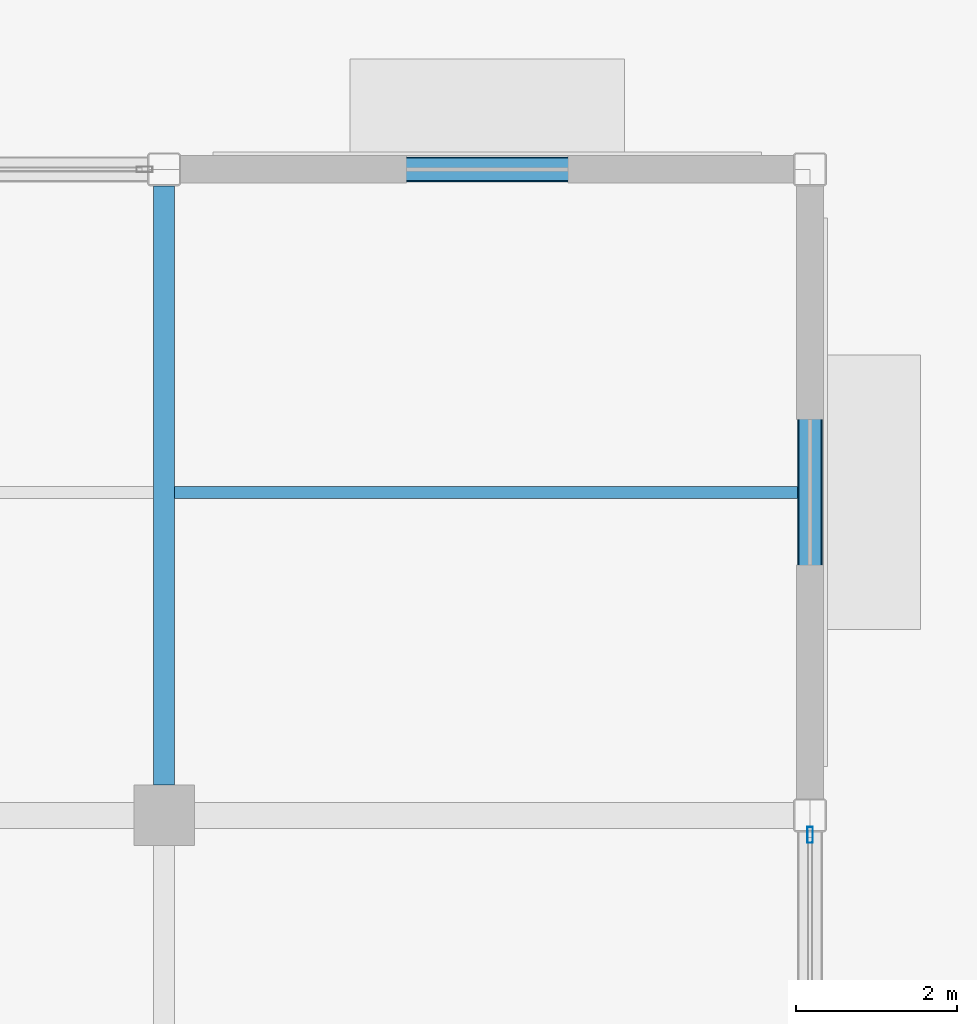
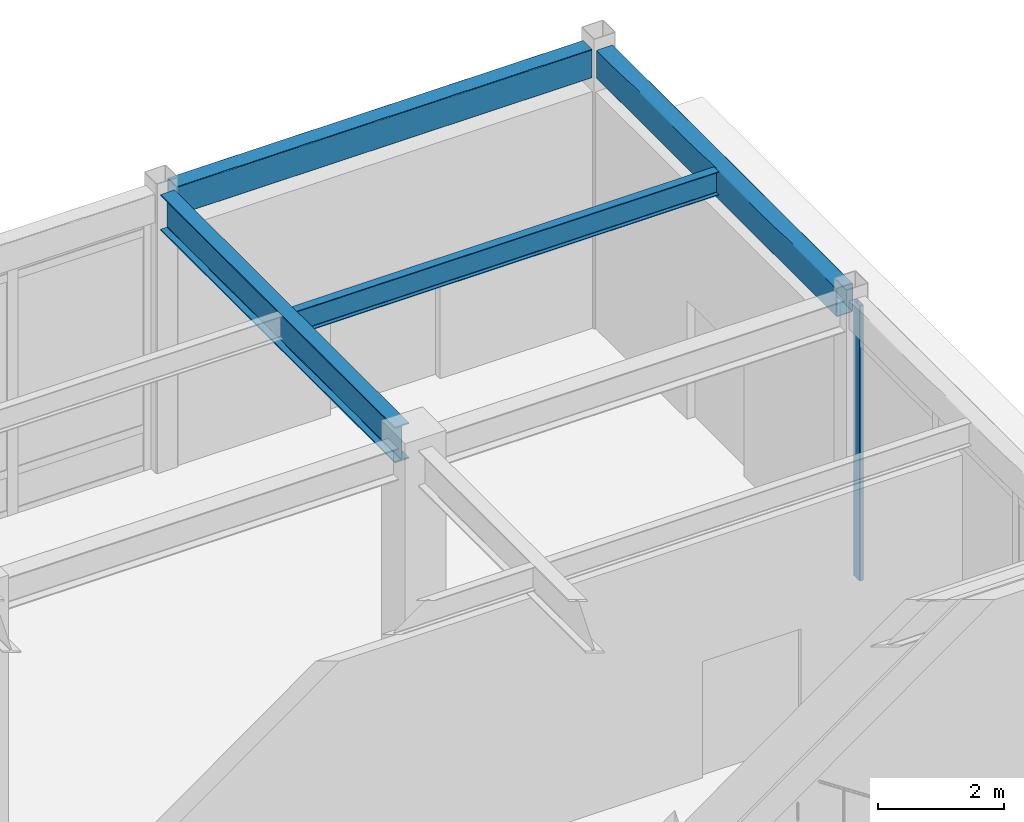
# One storey, part 93 of 128: 4 beams, 1 member, 1 element without a shape of its own.
"""IFC4 building model written with IfcOpenShell, lengths in metres."""

from ifc_helpers import new_model, si_unit, direction, frame, origin, origin_2d, place, context, subcontext, project, spatial, hollow_rectangle, i_section, extrude, material, material_profile, profile_set, type_object, element, aggregate, save


model = new_model("IFC4")

# Units and contexts
model_context = context("Model", 3, precision=1e-05, world=origin(), true_north=direction((0.0, 1.0)))
body_context = subcontext(model_context, "Body", "Model", "MODEL_VIEW")
ifc_project = project(units=[si_unit("LENGTHUNIT", "METRE"), si_unit("AREAUNIT", "SQUARE_METRE"), si_unit("VOLUMEUNIT", "CUBIC_METRE"), si_unit("PLANEANGLEUNIT", "RADIAN"), si_unit("MASSUNIT", "GRAM", prefix="KILO")], contexts=[model_context])

# Site, building, storey
site_placement = place(None, origin())
site = spatial("IfcSite", under=ifc_project, at=site_placement, CompositionType="ELEMENT")
building_placement = place(site_placement, origin())
building = spatial("IfcBuilding", under=site, at=building_placement, Name="Solmirada Galleria", CompositionType="ELEMENT")
storey_placement = place(building_placement, origin())
storey = spatial("IfcBuildingStorey", under=building, at=storey_placement, Name="L00", CompositionType="ELEMENT", Elevation=0.0)

# Beams
ifc_material_1 = material(Name="Steel S355 / ASTM A992 Grade 50", Category="steel")
ifc_material_profile_1 = material_profile(ifc_material_1, i_section(OverallWidth=0.256103515625, OverallDepth=0.693115234375, WebThickness=0.014404296875, FlangeThickness=0.023681640625, FilletRadius=0.01806640625, at=origin_2d()), Name="W27X114")
ifc_profile_set_1 = profile_set([ifc_material_profile_1], Name="Steel S355 / ASTM A992 Grade 50")
beam_type_1 = type_object("IfcBeamType", Name="BM-GIRD-W27A", PredefinedType="BEAM", material=ifc_profile_set_1)
beam_1_placement = place(storey_placement, frame((168.0, 112.375, 5.033447265625), z_axis=(0.0, 1.0, 0.0), x_axis=(-1.0, 0.0, 0.0)))
element("IfcBeam", 1, at=beam_1_placement, inside=storey, type_object=beam_type_1, Name="Primary girder L01 Y(168, 112..120)", PredefinedType="BEAM", context=body_context, shape_type="SweptSolid", body=[
    extrude(i_section(OverallWidth=0.256103515625, OverallDepth=0.693115234375, WebThickness=0.014404296875, FlangeThickness=0.023681640625, FilletRadius=0.01806640625, at=origin_2d()), origin(), (0.0, 0.0, 1.0), 7.422119140625),
])
ifc_material_profile_2 = material_profile(ifc_material_1, i_section(OverallWidth=0.153076171875, OverallDepth=0.455078125, WebThickness=0.008056640625, FlangeThickness=0.01318359375, FilletRadius=0.011962890625, at=origin_2d()), Name="W18X40")
ifc_profile_set_2 = profile_set([ifc_material_profile_2], Name="Steel S355 / ASTM A992 Grade 50")
beam_type_2 = type_object("IfcBeamType", Name="BM-JST-W18A", PredefinedType="JOIST", material=ifc_profile_set_2)
beam_2_placement = place(storey_placement, frame((168.1279296875, 116.0, 5.152587890625), z_axis=(1.0, 0.0, 0.0), x_axis=(0.0, 1.0, 0.0)))
element("IfcBeam", 2, at=beam_2_placement, inside=storey, type_object=beam_type_2, Name="Composite floor joist L01 (168..176, 116.0)", PredefinedType="JOIST", context=body_context, shape_type="SweptSolid", body=[
    extrude(i_section(OverallWidth=0.153076171875, OverallDepth=0.455078125, WebThickness=0.008056640625, FlangeThickness=0.01318359375, FilletRadius=0.011962890625, at=origin_2d()), origin(), (0.0, 0.0, 1.0), 7.719482421875),
])
ifc_material_2 = material(Name="Steel S355 / ASTM A500 Grade C", Category="steel")
ifc_material_profile_3 = material_profile(ifc_material_2, hollow_rectangle(XDim=0.304931640625, YDim=0.55908203125, WallThickness=0.01171875, InnerFilletRadius=0.01171875, OuterFilletRadius=0.023681640625, at=origin_2d()), Name="HSS22X12X1/2")
ifc_profile_set_3 = profile_set([ifc_material_profile_3], Name="Steel S355 / ASTM A500 Grade C")
beam_type_3 = type_object("IfcBeamType", Name="BM-SPAND-W21", PredefinedType="SPANDREL", material=ifc_profile_set_3)
for number, where, z_axis, x_axis, name in (
    (3, (168.202880859375, 120.0, 5.1005859375), (1.0, 0.0, 0.0), (0.0, 1.0, 0.0), "Primary beam L01 X(168..176, 120)"),
    (4, (176.0, 112.202880859375, 5.1005859375), (0.0, 1.0, 0.0), (-1.0, 0.0, 0.0), "Primary girder L01 Y(176, 112..120)"),
):
    element("IfcBeam", number, at=place(storey_placement, frame(where, z_axis=z_axis, x_axis=x_axis)), inside=storey, type_object=beam_type_3, Name=name, PredefinedType="SPANDREL", context=body_context, shape_type="SweptSolid", body=[
        extrude(hollow_rectangle(XDim=0.304931640625, YDim=0.55908203125, WallThickness=0.01171875, InnerFilletRadius=0.01171875, OuterFilletRadius=0.023681640625, at=origin_2d()), origin(), (0.0, 0.0, 1.0), 7.59423828125),
    ])

# Curtain wall, member
ifc_material_3 = material(Name="Impact-resistant low-E double glazing", Category="glass")
curtain_wall_type = type_object("IfcCurtainWallType", Name="CW-FZ2-L00-B3-L076", PredefinedType="NOTDEFINED", material=ifc_material_3)
curtain_wall_placement = place(storey_placement, origin())
curtain_wall = element("IfcCurtainWall", 5, at=curtain_wall_placement, inside=storey, type_object=curtain_wall_type, Name="Terrace and arcade storefront CW-L00-012", PredefinedType="NOTDEFINED")
ifc_material_4 = material(Name="Anodised aluminium framing", Category="aluminium")
ifc_material_profile_4 = material_profile(ifc_material_4, hollow_rectangle(XDim=0.070068359375, YDim=0.199951171875, WallThickness=0.004150390625, InnerFilletRadius=0.004150390625, OuterFilletRadius=0.00830078125, at=origin_2d()), Name="ALU-MULL-200X70")
ifc_profile_set_4 = profile_set([ifc_material_profile_4], Name="Anodised aluminium framing")
member_type = type_object("IfcMemberType", Name="CW-MULL-200", PredefinedType="MULLION", material=ifc_profile_set_4)
member_placement = place(storey_placement, frame((176.0, 111.760009765625, 0.0), z_axis=(0.0, 0.0, 1.0), x_axis=(1.0, 0.0, 0.0)))
member = element("IfcMember", 6, at=member_placement, type_object=member_type, Name="CW05 mullion 1", PredefinedType="MULLION", context=body_context, shape_type="SweptSolid", body=[
    extrude(hollow_rectangle(XDim=0.070068359375, YDim=0.199951171875, WallThickness=0.004150390625, InnerFilletRadius=0.004150390625, OuterFilletRadius=0.00830078125, at=origin_2d()), origin(), (0.0, 0.0, 1.0), 5.320068359375),
])
aggregate(curtain_wall, [member])

save(model, "model.ifc")
